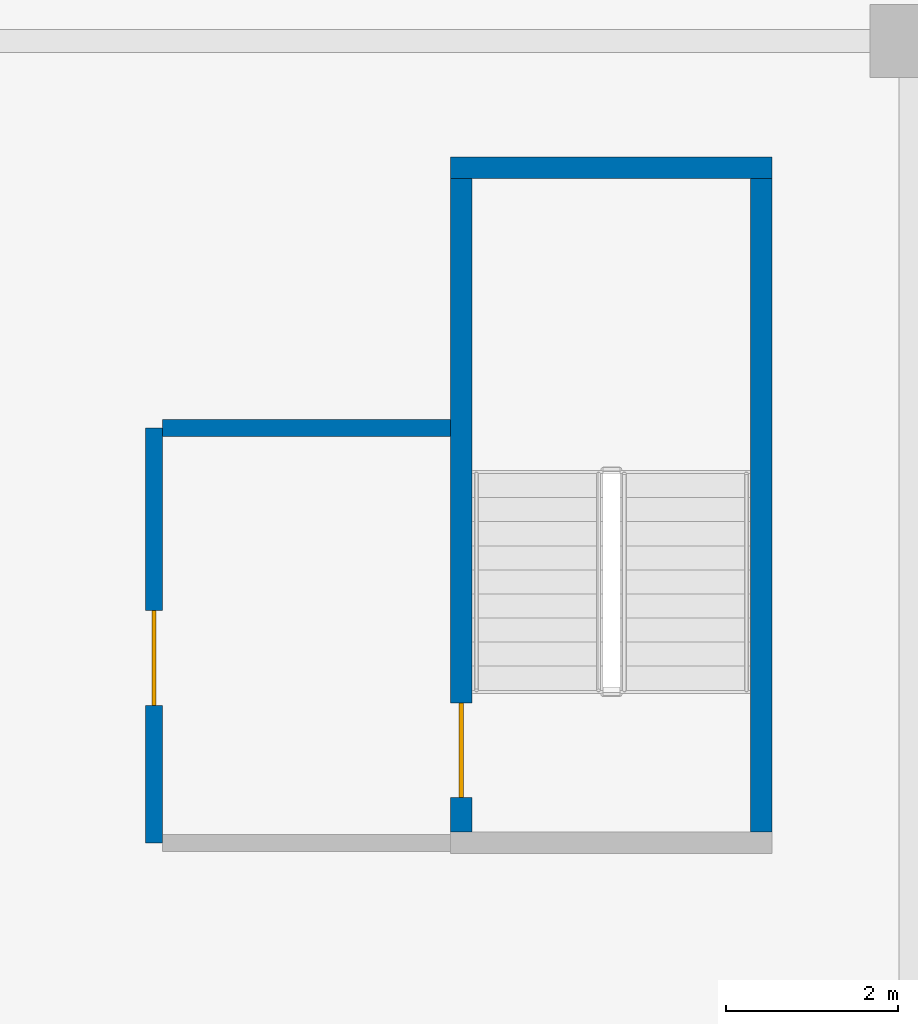
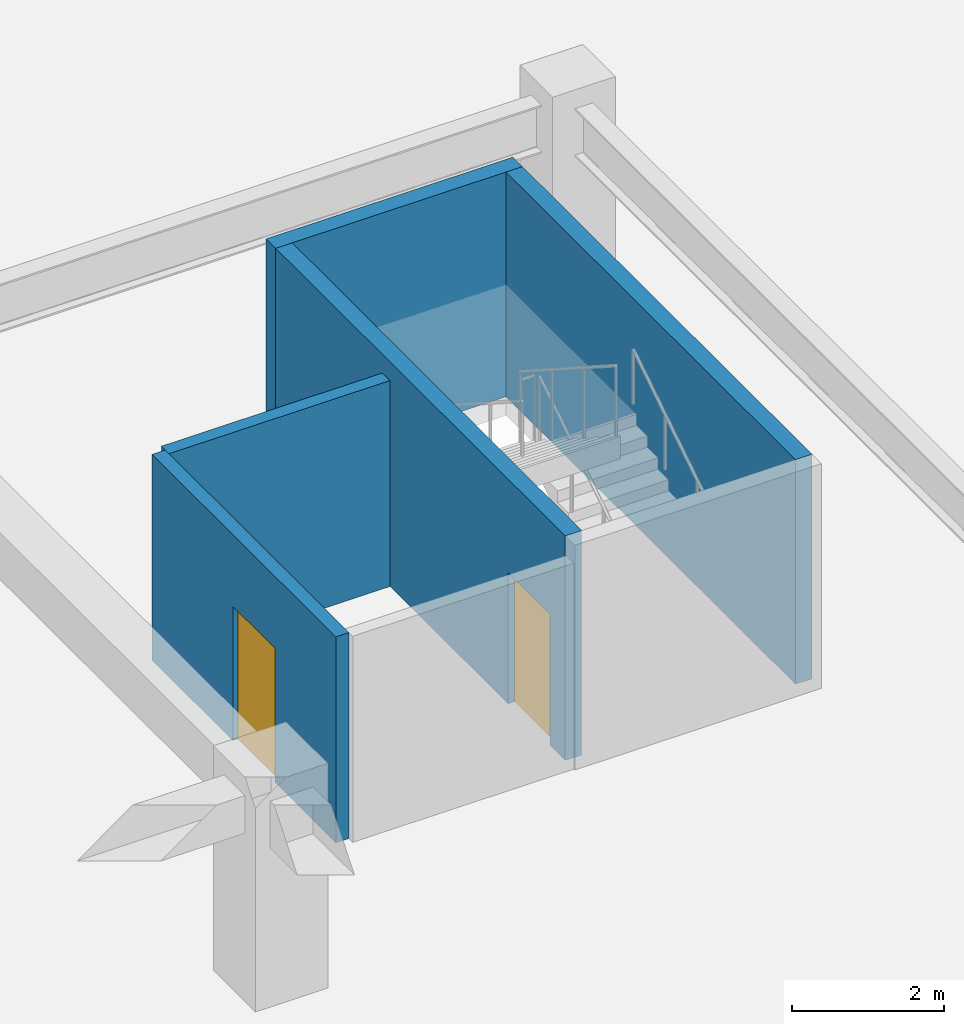
# One storey, part 13 of 23: 5 walls, 2 doors, 2 openings.
"""IFC4 building model written with IfcOpenShell, lengths in metres."""

from ifc_helpers import new_model, si_unit, direction, frame, frame_2d, origin, place, context, subcontext, project, spatial, rectangle, extrude, material, layer, layer_set, type_object, element, fill, save


model = new_model("IFC4")

# Units and contexts
model_context = context("Model", 3, precision=1e-05, world=origin(), true_north=direction((0.0, 1.0)))
body_context = subcontext(model_context, "Body", "Model", "MODEL_VIEW")
ifc_project = project(units=[si_unit("LENGTHUNIT", "METRE"), si_unit("AREAUNIT", "SQUARE_METRE"), si_unit("VOLUMEUNIT", "CUBIC_METRE"), si_unit("PLANEANGLEUNIT", "RADIAN"), si_unit("MASSUNIT", "GRAM", prefix="KILO")], contexts=[model_context])

# Site, building, storey
site_placement = place(None, origin())
site = spatial("IfcSite", under=ifc_project, at=site_placement, CompositionType="ELEMENT")
building_placement = place(site_placement, origin())
building = spatial("IfcBuilding", under=site, at=building_placement, Name="Korimba Cascade Residences", CompositionType="ELEMENT")
storey_placement = place(building_placement, frame((0.0, 0.0, -3.60009765625)))
storey = spatial("IfcBuildingStorey", under=building, at=storey_placement, Name="B01", CompositionType="ELEMENT", Elevation=-3.60009765625)

# Wall, opening, door
ifc_material_1 = material(Name="Concrete C40/50", Category="concrete")
ifc_layer_1 = layer(ifc_material_1, 0.199951171875)
ifc_layer_set_1 = layer_set([ifc_layer_1], Name="Concrete C40/50")
wall_type_1 = type_object("IfcWallType", Name="WAL-PART-200", PredefinedType="PARTITIONING", material=ifc_layer_set_1)
wall_1_placement = place(storey_placement, frame((130.800048828125, 81.875, 0.0), z_axis=(0.0, 0.0, 1.0), x_axis=(0.0, 1.0, 0.0)))
wall_1 = element("IfcWall", 1, at=wall_1_placement, inside=storey, type_object=wall_type_1, Name="B01 Partition Wall CW-B01-PL4W", PredefinedType="PARTITIONING", context=body_context, shape_type="SweptSolid", body=[
    extrude(rectangle(XDim=4.824951171875, YDim=0.199951171875, at=frame_2d((2.41259765625, 0.0))), origin(), (0.0, 0.0, 1.0), 3.300048828125),
])
opening_1_placement = place(wall_1_placement, frame((1.60009765625, 0.0, 0.0)))
opening_1 = element("IfcOpeningElement", 2, at=opening_1_placement, cuts=wall_1, Name="Opening D-FD6", PredefinedType="OPENING", context=body_context, shape_type="SweptSolid", body=[
    extrude(rectangle(XDim=1.10009765625, YDim=2.14990234375, at=frame_2d((0.550048828125, 1.074951171875))), frame((0.0, 0.10986328125, 0.0), z_axis=(0.0, -1.0, 0.0), x_axis=(1.0, 0.0, 0.0)), (0.0, 0.0, 1.0), 0.219970703125),
])
ifc_material_2 = material(Name="Fire-Rated Timber Stair Lobby Door", Category="wood")
door_type_1 = type_object("IfcDoorType", Name="DR-FD90-1100", OperationType="NOTDEFINED", PredefinedType="DOOR", material=ifc_material_2)
door_1_placement = place(opening_1_placement, origin())
door_1 = element("IfcDoor", 3, at=door_1_placement, inside=storey, type_object=door_type_1, Name="B01 North-East Stair Vestibule Door", OperationType="SINGLE_SWING_LEFT", OverallHeight=2.14990234375, OverallWidth=1.10009765625, PredefinedType="DOOR", context=body_context, shape_type="SweptSolid", body=[
    extrude(rectangle(XDim=1.10009765625, YDim=2.14990234375, at=frame_2d((0.550048828125, 1.074951171875))), frame((0.0, 0.02490234375, 0.0), z_axis=(0.0, -1.0, 0.0), x_axis=(1.0, 0.0, 0.0)), (0.0, 0.0, 1.0), 0.050048828125),
])
fill(opening_1, door_1)

# Wall
wall_2_placement = place(storey_placement, frame((130.89990234375, 86.699951171875, 0.0), z_axis=(0.0, 0.0, 1.0), x_axis=(1.0, 0.0, 0.0)))
element("IfcWall", 4, at=wall_2_placement, inside=storey, type_object=wall_type_1, Name="B01 Partition Wall CW-B01-PL4N", PredefinedType="PARTITIONING", context=body_context, shape_type="SweptSolid", body=[
    extrude(rectangle(XDim=3.35009765625, YDim=0.199951171875, at=frame_2d((1.675048828125, 0.0))), origin(), (0.0, 0.0, 1.0), 3.300048828125),
])

# Wall, opening, door
ifc_material_3 = material(Name="Concrete C50/60", Category="concrete")
ifc_layer_2 = layer(ifc_material_3, 0.25)
ifc_layer_set_2 = layer_set([ifc_layer_2], Name="Concrete C50/60")
wall_type_2 = type_object("IfcWallType", Name="WAL-SHAFT-250", PredefinedType="SHEAR", material=ifc_layer_set_2)
wall_3_placement = place(storey_placement, frame((134.375, 82.0, 0.0), z_axis=(0.0, 0.0, 1.0), x_axis=(0.0, 1.0, 0.0)))
wall_3 = element("IfcWall", 5, at=wall_3_placement, inside=storey, type_object=wall_type_2, Name="B01 Core Shear Wall CW-B01-STP4W", PredefinedType="SHEAR", context=body_context, shape_type="SweptSolid", body=[
    extrude(rectangle(XDim=7.60009765625, YDim=0.25, at=frame_2d((3.800048828125, 0.0))), origin(), (0.0, 0.0, 1.0), 3.60009765625),
])
opening_2_placement = place(wall_3_placement, frame((0.39990234375, 0.0, 0.0)))
opening_2 = element("IfcOpeningElement", 6, at=opening_2_placement, cuts=wall_3, Name="Opening D-FD1", PredefinedType="OPENING", context=body_context, shape_type="SweptSolid", body=[
    extrude(rectangle(XDim=1.10009765625, YDim=2.10009765625, at=frame_2d((0.550048828125, 1.050048828125))), frame((0.0, 0.135009765625, 0.0), z_axis=(0.0, -1.0, 0.0), x_axis=(1.0, 0.0, 0.0)), (0.0, 0.0, 1.0), 0.27001953125),
])
ifc_material_4 = material(Name="Fire-Rated Steel Core Door", Category="steel")
door_type_2 = type_object("IfcDoorType", Name="DR-FD120-1100", OperationType="NOTDEFINED", PredefinedType="DOOR", material=ifc_material_4)
door_2_placement = place(opening_2_placement, origin())
door_2 = element("IfcDoor", 7, at=door_2_placement, inside=storey, type_object=door_type_2, Name="B01 Podium Stair ST-P4 Door", OperationType="SINGLE_SWING_RIGHT", OverallHeight=2.10009765625, OverallWidth=1.10009765625, PredefinedType="DOOR", context=body_context, shape_type="SweptSolid", body=[
    extrude(rectangle(XDim=1.10009765625, YDim=2.10009765625, at=frame_2d((0.550048828125, 1.050048828125))), frame((0.0, 0.02490234375, 0.0), z_axis=(0.0, -1.0, 0.0), x_axis=(1.0, 0.0, 0.0)), (0.0, 0.0, 1.0), 0.050048828125),
])
fill(opening_2, door_2)

# Walls
wall_4_placement = place(storey_placement, frame((137.864990234375, 82.0, 0.0), z_axis=(0.0, 0.0, 1.0), x_axis=(0.0, 1.0, 0.0)))
element("IfcWall", 8, at=wall_4_placement, inside=storey, type_object=wall_type_2, Name="B01 Core Shear Wall CW-B01-STP4E", PredefinedType="SHEAR", context=body_context, shape_type="SweptSolid", body=[
    extrude(rectangle(XDim=7.60009765625, YDim=0.25, at=frame_2d((3.800048828125, 0.0))), origin(), (0.0, 0.0, 1.0), 3.60009765625),
])
wall_5_placement = place(storey_placement, frame((134.25, 89.72509765625, 0.0), z_axis=(0.0, 0.0, 1.0), x_axis=(1.0, 0.0, 0.0)))
element("IfcWall", 9, at=wall_5_placement, inside=storey, type_object=wall_type_2, Name="B01 Core Shear Wall CW-B01-STP4N", PredefinedType="SHEAR", context=body_context, shape_type="SweptSolid", body=[
    extrude(rectangle(XDim=3.739990234375, YDim=0.25, at=frame_2d((1.8701171875, 0.0))), origin(), (0.0, 0.0, 1.0), 3.60009765625),
])

save(model, "model.ifc")
